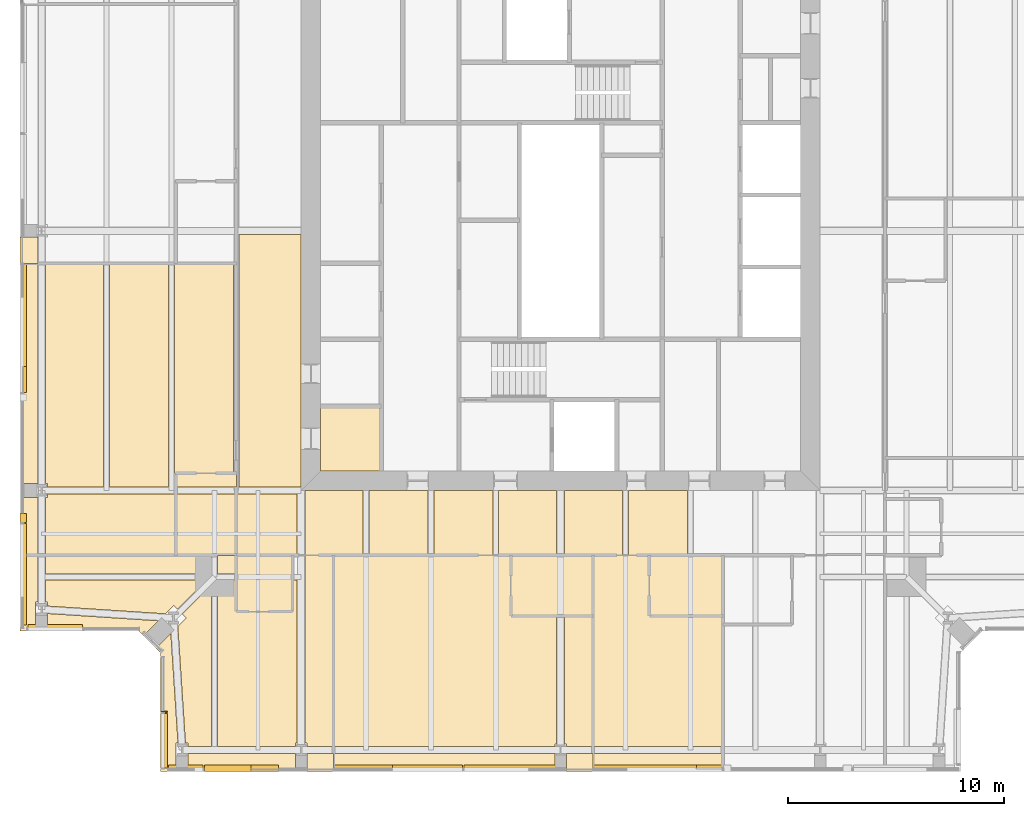
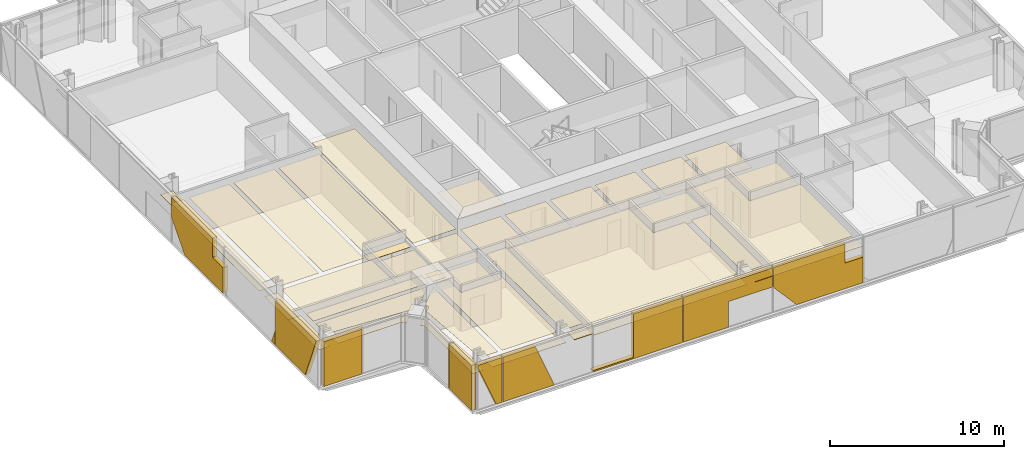
# One storey, part 15 of 20: 49 coverings.
"""IFC4 building model written with IfcOpenShell, lengths in metres."""

from ifc_helpers import new_model, si_unit, direction, frame, origin, place, context, subcontext, project, spatial, polyline, outline, extrude, material, layer, layer_set, type_object, element, save


model = new_model("IFC4")

# Units and contexts
model_context = context("Model", 3, precision=1e-05, world=origin(), true_north=direction((0.0, 1.0)))
body_context = subcontext(model_context, "Body", "Model", "MODEL_VIEW")
ifc_project = project(units=[si_unit("LENGTHUNIT", "METRE"), si_unit("AREAUNIT", "SQUARE_METRE"), si_unit("VOLUMEUNIT", "CUBIC_METRE"), si_unit("PLANEANGLEUNIT", "RADIAN"), si_unit("MASSUNIT", "GRAM", prefix="KILO")], contexts=[model_context])

# Site, building, storey
site_placement = place(None, origin())
site = spatial("IfcSite", under=ifc_project, at=site_placement, CompositionType="ELEMENT")
building_placement = place(site_placement, origin())
building = spatial("IfcBuilding", under=site, at=building_placement, Name="Fenwick Lantern Interchange", CompositionType="ELEMENT")
storey_placement = place(building_placement, frame((0.0, 0.0, 276.39990234375)))
storey = spatial("IfcBuildingStorey", under=building, at=storey_placement, Name="L66", CompositionType="ELEMENT", Elevation=276.39990234375)

# Coverings
ifc_material_1 = material(Name="Granite cladding, warm grey flamed finish, on aluminium carrier frame", Category="masonry")
ifc_layer_1 = layer(ifc_material_1, 0.300048828125)
ifc_layer_set_1 = layer_set([ifc_layer_1], Name="BRACE CASING PANEL 300")
covering_type_1 = type_object("IfcCoveringType", Name="BRACE CASING PANEL 300", PredefinedType="CLADDING", material=ifc_layer_set_1)
covering_1_placement = place(storey_placement, frame((6.60009765625, 0.10009765625, 0.0), z_axis=(0.0, 0.0, 1.0), x_axis=(1.0, 0.0, 0.0)))
element("IfcCovering", 1, at=covering_1_placement, inside=storey, type_object=covering_type_1, Name="Brace casing 01 bay 00a", PredefinedType="CLADDING", context=body_context, shape_type="SweptSolid", body=[
    extrude(outline(polyline([(1.46337890625, 0.0), (1.8701171875, 0.0), (1.8701171875, 3.150146484375), (0.260009765625, 3.150146484375), (0.260009765625, 2.9755859375), (1.46337890625, 0.0)])), frame((0.0, 0.2099609375, 0.0), z_axis=(0.0, -1.0, 0.0), x_axis=(1.0, 0.0, 0.0)), (0.0, 0.0, 1.0), 0.300048828125),
])
covering_2_placement = place(storey_placement, frame((6.60009765625, 0.10009765625, 0.0), z_axis=(0.0, 0.0, 1.0), x_axis=(1.0, 0.0, 0.0)))
element("IfcCovering", 2, at=covering_2_placement, inside=storey, type_object=covering_type_1, Name="Brace casing 01 bay 01a", PredefinedType="CLADDING", context=body_context, shape_type="SweptSolid", body=[
    extrude(outline(polyline([(1.929931640625, 0.0), (5.346435546875, 0.0), (4.07275390625, 3.150146484375), (1.929931640625, 3.150146484375), (1.929931640625, 0.0)])), frame((0.0, 0.2099609375, 0.0), z_axis=(0.0, -1.0, 0.0), x_axis=(1.0, 0.0, 0.0)), (0.0, 0.0, 1.0), 0.300048828125),
])
covering_3_placement = place(storey_placement, frame((6.60009765625, 0.10009765625, 0.0), z_axis=(0.0, 0.0, 1.0), x_axis=(1.0, 0.0, 0.0)))
element("IfcCovering", 3, at=covering_3_placement, inside=storey, type_object=covering_type_1, Name="Brace casing 01 bay 02a", PredefinedType="CLADDING", context=body_context, shape_type="SweptSolid", body=[
    extrude(outline(polyline([(7.929931640625, 0.0), (13.8701171875, 0.0), (13.8701171875, 3.150146484375), (10.6201171875, 3.150146484375), (10.6201171875, 0.097412109375), (7.929931640625, 0.097412109375), (7.929931640625, 0.0)])), frame((0.0, 0.2099609375, 0.0), z_axis=(0.0, -1.0, 0.0), x_axis=(1.0, 0.0, 0.0)), (0.0, 0.0, 1.0), 0.300048828125),
])
covering_4_placement = place(storey_placement, frame((6.60009765625, 0.10009765625, 0.0), z_axis=(0.0, 0.0, 1.0), x_axis=(1.0, 0.0, 0.0)))
element("IfcCovering", 4, at=covering_4_placement, inside=storey, type_object=covering_type_1, Name="Brace casing 01 bay 03a", PredefinedType="CLADDING", context=body_context, shape_type="SweptSolid", body=[
    extrude(outline(polyline([(13.929931640625, 0.0), (16.93017578125, 0.0), (16.93017578125, 1.8076171875), (19.8701171875, 1.8076171875), (19.8701171875, 3.150146484375), (13.929931640625, 3.150146484375), (13.929931640625, 0.0)])), frame((0.0, 0.2099609375, 0.0), z_axis=(0.0, -1.0, 0.0), x_axis=(1.0, 0.0, 0.0)), (0.0, 0.0, 1.0), 0.300048828125),
])
for number, where, z_axis, x_axis, name in (
    (5, (6.60009765625, 0.10009765625, 0.0), (0.0, 0.0, 1.0), (1.0, 0.0, 0.0), "Brace casing 01 bay 04a"),
    (6, (0.10009765625, 43.39990234375, 0.0), (0.0, 0.0, 1.0), (0.0, -1.0, 0.0), "Brace casing 13 bay 04a"),
):
    element("IfcCovering", number, at=place(storey_placement, frame(where, z_axis=z_axis, x_axis=x_axis)), inside=storey, type_object=covering_type_1, Name=name, PredefinedType="CLADDING", context=body_context, shape_type="SweptSolid", body=[
        extrude(outline(polyline([(21.46484375, 0.0), (25.8701171875, 0.0), (25.8701171875, 1.801513671875), (24.67626953125, 1.801513671875), (24.67626953125, 3.150146484375), (19.929931640625, 3.150146484375), (19.929931640625, 1.739501953125), (21.46484375, 0.0)])), frame((0.0, 0.2099609375, 0.0), z_axis=(0.0, -1.0, 0.0), x_axis=(1.0, 0.0, 0.0)), (0.0, 0.0, 1.0), 0.300048828125),
    ])
covering_5_placement = place(storey_placement, frame((0.10009765625, 43.39990234375, 0.0), z_axis=(0.0, 0.0, 1.0), x_axis=(0.0, -1.0, 0.0)))
element("IfcCovering", 7, at=covering_5_placement, inside=storey, type_object=covering_type_1, Name="Brace casing 13 bay 05b", PredefinedType="CLADDING", context=body_context, shape_type="SweptSolid", body=[
    extrude(outline(polyline([(31.453369140625, 0.0), (31.8701171875, 0.0), (31.8701171875, 1.030029296875), (31.453369140625, 0.0)])), frame((0.0, 0.2099609375, 0.0), z_axis=(0.0, -1.0, 0.0), x_axis=(1.0, 0.0, 0.0)), (0.0, 0.0, 1.0), 0.300048828125),
])
covering_6_placement = place(storey_placement, frame((0.10009765625, 43.39990234375, 0.0), z_axis=(0.0, 0.0, 1.0), x_axis=(0.0, -1.0, 0.0)))
element("IfcCovering", 8, at=covering_6_placement, inside=storey, type_object=covering_type_1, Name="Brace casing 13 bay 06a", PredefinedType="CLADDING", context=body_context, shape_type="SweptSolid", body=[
    extrude(outline(polyline([(31.929931640625, 0.0), (35.336669921875, 0.0), (36.610595703125, 3.150146484375), (31.929931640625, 3.150146484375), (31.929931640625, 0.0)])), frame((0.0, 0.2099609375, 0.0), z_axis=(0.0, -1.0, 0.0), x_axis=(1.0, 0.0, 0.0)), (0.0, 0.0, 1.0), 0.300048828125),
])
covering_7_placement = place(storey_placement, frame((0.10009765625, 6.60009765625, 0.0), z_axis=(0.0, 0.0, 1.0), x_axis=(1.0, 0.0, 0.0)))
element("IfcCovering", 9, at=covering_7_placement, inside=storey, type_object=covering_type_1, Name="Brace casing 14 bay 00a", PredefinedType="CLADDING", context=body_context, shape_type="SweptSolid", body=[
    extrude(outline(polyline([(0.260009765625, 0.0), (2.790771484375, 0.0), (2.790771484375, 3.150146484375), (0.260009765625, 3.150146484375), (0.260009765625, 0.0)])), frame((0.0, 0.2099609375, 0.0), z_axis=(0.0, -1.0, 0.0), x_axis=(1.0, 0.0, 0.0)), (0.0, 0.0, 1.0), 0.300048828125),
])
covering_8_placement = place(storey_placement, frame((6.60009765625, 5.54150390625, 0.0), z_axis=(0.0, 0.0, 1.0), x_axis=(0.0, -1.0, 0.0)))
element("IfcCovering", 10, at=covering_8_placement, inside=storey, type_object=covering_type_1, Name="Brace casing 16 bay 00a", PredefinedType="CLADDING", context=body_context, shape_type="SweptSolid", body=[
    extrude(outline(polyline([(2.741455078125, 0.0), (2.790771484375, 0.0), (2.790771484375, 3.150146484375), (2.741455078125, 3.150146484375), (2.741455078125, 0.0)])), frame((0.0, 0.2099609375, 0.0), z_axis=(0.0, -1.0, 0.0), x_axis=(1.0, 0.0, 0.0)), (0.0, 0.0, 1.0), 0.300048828125),
])
covering_9_placement = place(storey_placement, frame((6.60009765625, 5.54150390625, 0.0), z_axis=(0.0, 0.0, 1.0), x_axis=(0.0, -1.0, 0.0)))
element("IfcCovering", 11, at=covering_9_placement, inside=storey, type_object=covering_type_1, Name="Brace casing 16 bay 01a", PredefinedType="CLADDING", context=body_context, shape_type="SweptSolid", body=[
    extrude(outline(polyline([(2.850830078125, 0.0), (5.38134765625, 0.0), (5.38134765625, 3.150146484375), (2.850830078125, 3.150146484375), (2.850830078125, 0.0)])), frame((0.0, 0.2099609375, 0.0), z_axis=(0.0, -1.0, 0.0), x_axis=(1.0, 0.0, 0.0)), (0.0, 0.0, 1.0), 0.300048828125),
])
ifc_material_2 = material(Name="Moisture resistant gypsum board on suspended frame, painted")
ifc_layer_2 = layer(ifc_material_2, 0.014892578125)
ifc_layer_set_2 = layer_set([ifc_layer_2], Name="MOISTURE RESISTANT CEILING 15")
covering_type_2 = type_object("IfcCoveringType", Name="MOISTURE RESISTANT CEILING 15", PredefinedType="CEILING", material=ifc_layer_set_2)
covering_10_placement = place(storey_placement, frame((0.0, 0.0, 2.60009765625)))
element("IfcCovering", 12, at=covering_10_placement, inside=storey, type_object=covering_type_2, Name="Accessible WC ceiling", PredefinedType="CEILING", context=body_context, shape_type="SweptSolid", body=[
    extrude(outline(polyline([(13.89990234375, 13.89990234375), (16.699951171875, 13.89990234375), (16.699951171875, 16.89990234375), (13.89990234375, 16.89990234375), (13.89990234375, 13.89990234375)])), origin(), (0.0, 0.0, 1.0), 0.014892578125),
])
covering_11_placement = place(storey_placement, frame((0.0, 0.0, 2.400146484375)))
element("IfcCovering", 13, at=covering_11_placement, inside=storey, type_object=covering_type_2, Name="En-suite 6601 ceiling", PredefinedType="CEILING", context=body_context, shape_type="SweptSolid", body=[
    extrude(outline(polyline([(10.0, 7.39990234375), (12.60009765625, 7.39990234375), (12.60009765625, 10.0), (10.0, 10.0), (10.0, 7.39990234375)])), origin(), (0.0, 0.0, 1.0), 0.014892578125),
])
covering_12_placement = place(storey_placement, frame((0.0, 0.0, 2.400146484375)))
element("IfcCovering", 14, at=covering_12_placement, inside=storey, type_object=covering_type_2, Name="En-suite 6602 ceiling", PredefinedType="CEILING", context=body_context, shape_type="SweptSolid", body=[
    extrude(outline(polyline([(22.699951171875, 7.199951171875), (26.5, 7.199951171875), (26.5, 10.0), (22.699951171875, 10.0), (22.699951171875, 7.199951171875)])), origin(), (0.0, 0.0, 1.0), 0.014892578125),
])
covering_13_placement = place(storey_placement, frame((0.0, 0.0, 2.400146484375)))
element("IfcCovering", 15, at=covering_13_placement, inside=storey, type_object=covering_type_2, Name="En-suite 6603 ceiling", PredefinedType="CEILING", context=body_context, shape_type="SweptSolid", body=[
    extrude(outline(polyline([(29.10009765625, 7.199951171875), (32.5, 7.199951171875), (32.5, 10.0), (29.10009765625, 10.0), (29.10009765625, 7.199951171875)])), origin(), (0.0, 0.0, 1.0), 0.014892578125),
])
covering_14_placement = place(storey_placement, frame((0.0, 0.0, 2.400146484375)))
element("IfcCovering", 16, at=covering_14_placement, inside=storey, type_object=covering_type_2, Name="En-suite 6613 ceiling", PredefinedType="CEILING", context=body_context, shape_type="SweptSolid", body=[
    extrude(outline(polyline([(10.0, 10.0), (10.0, 12.833984375), (7.199951171875, 12.833984375), (7.199951171875, 10.0), (10.0, 10.0)])), origin(), (0.0, 0.0, 1.0), 0.014892578125),
])
covering_15_placement = place(storey_placement, frame((0.0, 0.0, 2.400146484375)))
element("IfcCovering", 17, at=covering_15_placement, inside=storey, type_object=covering_type_2, Name="En-suite 6613 ceiling", PredefinedType="CEILING", context=body_context, shape_type="SweptSolid", body=[
    extrude(outline(polyline([(7.199951171875, 13.800048828125), (7.199951171875, 13.166015625), (10.0, 13.166015625), (10.0, 13.800048828125), (7.199951171875, 13.800048828125)])), origin(), (0.0, 0.0, 1.0), 0.014892578125),
])
ifc_material_3 = material(Name="Gypsum plasterboard on suspended frame, painted")
ifc_layer_3 = layer(ifc_material_3, 0.014892578125)
ifc_layer_set_3 = layer_set([ifc_layer_3], Name="PLASTERBOARD CEILING 15")
covering_type_3 = type_object("IfcCoveringType", Name="PLASTERBOARD CEILING 15", PredefinedType="CEILING", material=ifc_layer_set_3)
covering_16_placement = place(storey_placement, frame((0.0, 0.0, 2.60009765625)))
element("IfcCovering", 18, at=covering_16_placement, inside=storey, type_object=covering_type_3, Name="Corridor ceiling", PredefinedType="CEILING", context=body_context, shape_type="SweptSolid", body=[
    extrude(outline(polyline([(13.0, 13.166015625), (13.0, 24.824951171875), (10.134521484375, 24.824951171875), (10.134521484375, 13.166015625), (13.0, 13.166015625)])), origin(), (0.0, 0.0, 1.0), 0.014892578125),
])
covering_17_placement = place(storey_placement, frame((0.0, 0.0, 2.60009765625)))
element("IfcCovering", 19, at=covering_17_placement, inside=storey, type_object=covering_type_3, Name="Corridor ceiling", PredefinedType="CEILING", context=body_context, shape_type="SweptSolid", body=[
    extrude(outline(polyline([(16.134521484375, 10.0), (18.865478515625, 10.0), (18.865478515625, 13.0), (16.134521484375, 13.0), (16.134521484375, 10.0)])), origin(), (0.0, 0.0, 1.0), 0.014892578125),
])
covering_18_placement = place(storey_placement, frame((0.0, 0.0, 2.60009765625)))
element("IfcCovering", 20, at=covering_18_placement, inside=storey, type_object=covering_type_3, Name="Corridor ceiling", PredefinedType="CEILING", context=body_context, shape_type="SweptSolid", body=[
    extrude(outline(polyline([(19.134521484375, 10.0), (21.865478515625, 10.0), (21.865478515625, 13.0), (19.134521484375, 13.0), (19.134521484375, 10.0)])), origin(), (0.0, 0.0, 1.0), 0.014892578125),
])
covering_19_placement = place(storey_placement, frame((0.0, 0.0, 2.60009765625)))
element("IfcCovering", 21, at=covering_19_placement, inside=storey, type_object=covering_type_3, Name="Corridor ceiling", PredefinedType="CEILING", context=body_context, shape_type="SweptSolid", body=[
    extrude(outline(polyline([(28.134521484375, 10.0), (30.865478515625, 10.0), (30.865478515625, 13.0), (28.134521484375, 13.0), (28.134521484375, 10.0)])), origin(), (0.0, 0.0, 1.0), 0.014892578125),
])
covering_20_placement = place(storey_placement, frame((0.0, 0.0, 2.60009765625)))
element("IfcCovering", 22, at=covering_20_placement, inside=storey, type_object=covering_type_3, Name="Corridor ceiling", PredefinedType="CEILING", context=body_context, shape_type="SweptSolid", body=[
    extrude(outline(polyline([(13.183837890625, 10.0), (15.865478515625, 10.0), (15.865478515625, 13.0), (13.183837890625, 13.0), (13.183837890625, 10.0)])), origin(), (0.0, 0.0, 1.0), 0.014892578125),
])
covering_21_placement = place(storey_placement, frame((0.0, 0.0, 2.60009765625)))
element("IfcCovering", 23, at=covering_21_placement, inside=storey, type_object=covering_type_3, Name="Corridor ceiling", PredefinedType="CEILING", context=body_context, shape_type="SweptSolid", body=[
    extrude(outline(polyline([(22.134521484375, 10.0), (24.816162109375, 10.0), (24.816162109375, 13.0), (22.134521484375, 13.0), (22.134521484375, 10.0)])), origin(), (0.0, 0.0, 1.0), 0.014892578125),
])
covering_22_placement = place(storey_placement, frame((0.0, 0.0, 2.60009765625)))
element("IfcCovering", 24, at=covering_22_placement, inside=storey, type_object=covering_type_3, Name="Corridor ceiling", PredefinedType="CEILING", context=body_context, shape_type="SweptSolid", body=[
    extrude(outline(polyline([(25.183837890625, 10.0), (27.865478515625, 10.0), (27.865478515625, 13.0), (25.183837890625, 13.0), (25.183837890625, 10.0)])), origin(), (0.0, 0.0, 1.0), 0.014892578125),
])
covering_23_placement = place(storey_placement, frame((0.0, 0.0, 2.60009765625)))
element("IfcCovering", 25, at=covering_23_placement, inside=storey, type_object=covering_type_3, Name="Corridor ceiling", PredefinedType="CEILING", context=body_context, shape_type="SweptSolid", body=[
    extrude(outline(polyline([(10.0, 10.0), (12.816162109375, 10.0), (12.816162109375, 12.833984375), (10.0, 12.833984375), (10.0, 10.0)])), origin(), (0.0, 0.0, 1.0), 0.014892578125),
])
covering_24_placement = place(storey_placement, frame((0.0, 0.0, 2.7001953125)))
element("IfcCovering", 26, at=covering_24_placement, inside=storey, type_object=covering_type_3, Name="Guest suite 6601 ceiling", PredefinedType="CEILING", context=body_context, shape_type="SweptSolid", body=[
    extrude(outline(polyline([(10.0, 7.39990234375), (10.0, 8.865478515625), (9.134521484375, 8.865478515625), (9.134521484375, 1.17236328125), (12.72900390625, 1.17236328125), (12.72900390625, 1.3154296875), (12.816162109375, 1.3154296875), (12.816162109375, 8.865478515625), (12.60009765625, 8.865478515625), (12.60009765625, 7.39990234375), (10.0, 7.39990234375)])), origin(), (0.0, 0.0, 1.0), 0.014892578125),
])
covering_25_placement = place(storey_placement, frame((0.0, 0.0, 2.7001953125)))
element("IfcCovering", 27, at=covering_25_placement, inside=storey, type_object=covering_type_3, Name="Guest suite 6601 ceiling", PredefinedType="CEILING", context=body_context, shape_type="SweptSolid", body=[
    extrude(outline(polyline([(14.5, 10.0), (13.183837890625, 10.0), (13.183837890625, 1.3154296875), (13.27099609375, 1.3154296875), (13.27099609375, 1.17236328125), (14.5, 1.17236328125), (14.5, 10.0)])), origin(), (0.0, 0.0, 1.0), 0.014892578125),
])
covering_26_placement = place(storey_placement, frame((0.0, 0.0, 2.7001953125)))
element("IfcCovering", 28, at=covering_26_placement, inside=storey, type_object=covering_type_3, Name="Guest suite 6601 ceiling", PredefinedType="CEILING", context=body_context, shape_type="SweptSolid", body=[
    extrude(outline(polyline([(7.10009765625, 7.6826171875), (7.28271484375, 7.499755859375), (8.648681640625, 8.865478515625), (1.17236328125, 8.865478515625), (1.17236328125, 7.83447265625), (1.27734375, 7.83447265625), (1.27734375, 7.654541015625), (6.715576171875, 7.298095703125), (7.10009765625, 7.6826171875)])), origin(), (0.0, 0.0, 1.0), 0.014892578125),
])
covering_27_placement = place(storey_placement, frame((0.0, 0.0, 2.7001953125)))
element("IfcCovering", 29, at=covering_27_placement, inside=storey, type_object=covering_type_3, Name="Guest suite 6601 ceiling", PredefinedType="CEILING", context=body_context, shape_type="SweptSolid", body=[
    extrude(outline(polyline([(7.77734375, 1.33447265625), (7.77734375, 1.17236328125), (8.865478515625, 1.17236328125), (8.865478515625, 8.648681640625), (7.499755859375, 7.28271484375), (7.6826171875, 7.10009765625), (7.298095703125, 6.715576171875), (7.65087890625, 1.33447265625), (7.77734375, 1.33447265625)])), origin(), (0.0, 0.0, 1.0), 0.014892578125),
])
covering_28_placement = place(storey_placement, frame((0.0, 0.0, 2.7001953125)))
element("IfcCovering", 30, at=covering_28_placement, inside=storey, type_object=covering_type_3, Name="Guest suite 6601 ceiling", PredefinedType="CEILING", context=body_context, shape_type="SweptSolid", body=[
    extrude(outline(polyline([(8.865478515625, 10.0), (1.17236328125, 10.0), (1.17236328125, 9.134521484375), (8.865478515625, 9.134521484375), (8.865478515625, 10.0)])), origin(), (0.0, 0.0, 1.0), 0.014892578125),
])
covering_29_placement = place(storey_placement, frame((0.0, 0.0, 2.7001953125)))
element("IfcCovering", 31, at=covering_29_placement, inside=storey, type_object=covering_type_3, Name="Guest suite 6601 ceiling", PredefinedType="CEILING", context=body_context, shape_type="SweptSolid", body=[
    extrude(outline(polyline([(7.22265625, 1.33447265625), (7.30517578125, 1.33447265625), (6.9736328125, 6.39111328125), (6.291259765625, 5.708740234375), (6.5, 5.5), (6.5, 0.0), (7.22265625, 0.0), (7.22265625, 1.33447265625)])), origin(), (0.0, 0.0, 1.0), 0.014892578125),
])
covering_30_placement = place(storey_placement, frame((0.0, 0.0, 2.7001953125)))
element("IfcCovering", 32, at=covering_30_placement, inside=storey, type_object=covering_type_3, Name="Guest suite 6601 ceiling", PredefinedType="CEILING", context=body_context, shape_type="SweptSolid", body=[
    extrude(outline(polyline([(12.72900390625, 0.0), (12.72900390625, 0.82763671875), (7.77734375, 0.82763671875), (7.77734375, 0.0), (12.72900390625, 0.0)])), origin(), (0.0, 0.0, 1.0), 0.014892578125),
])
covering_31_placement = place(storey_placement, frame((0.0, 0.0, 2.7001953125)))
element("IfcCovering", 33, at=covering_31_placement, inside=storey, type_object=covering_type_3, Name="Guest suite 6601 ceiling", PredefinedType="CEILING", context=body_context, shape_type="SweptSolid", body=[
    extrude(outline(polyline([(5.708740234375, 6.291259765625), (6.39111328125, 6.9736328125), (1.27734375, 7.30908203125), (1.27734375, 6.5), (5.5, 6.5), (5.708740234375, 6.291259765625)])), origin(), (0.0, 0.0, 1.0), 0.014892578125),
])
covering_32_placement = place(storey_placement, frame((0.0, 0.0, 2.7001953125)))
element("IfcCovering", 34, at=covering_32_placement, inside=storey, type_object=covering_type_3, Name="Guest suite 6601 ceiling", PredefinedType="CEILING", context=body_context, shape_type="SweptSolid", body=[
    extrude(outline(polyline([(0.72265625, 7.83447265625), (0.82763671875, 7.83447265625), (0.82763671875, 10.0), (0.0, 10.0), (0.0, 6.5), (0.72265625, 6.5), (0.72265625, 7.83447265625)])), origin(), (0.0, 0.0, 1.0), 0.014892578125),
])
covering_33_placement = place(storey_placement, frame((0.0, 0.0, 2.7001953125)))
element("IfcCovering", 35, at=covering_33_placement, inside=storey, type_object=covering_type_3, Name="Guest suite 6601 ceiling", PredefinedType="CEILING", context=body_context, shape_type="SweptSolid", body=[
    extrude(outline(polyline([(14.5, 0.0), (14.5, 0.82763671875), (13.27099609375, 0.82763671875), (13.27099609375, 0.0), (14.5, 0.0)])), origin(), (0.0, 0.0, 1.0), 0.014892578125),
])
covering_34_placement = place(storey_placement, frame((0.0, 0.0, 2.7001953125)))
element("IfcCovering", 36, at=covering_34_placement, inside=storey, type_object=covering_type_3, Name="Guest suite 6601 ceiling", PredefinedType="CEILING", context=body_context, shape_type="SweptSolid", body=[
    extrude(outline(polyline([(10.0, 9.134521484375), (10.0, 10.0), (9.134521484375, 10.0), (9.134521484375, 9.134521484375), (10.0, 9.134521484375)])), origin(), (0.0, 0.0, 1.0), 0.014892578125),
])
covering_35_placement = place(storey_placement, frame((0.0, 0.0, 2.572998046875)))
element("IfcCovering", 37, at=covering_35_placement, inside=storey, type_object=covering_type_3, Name="Guest suite 6602 ceiling", PredefinedType="CEILING", context=body_context, shape_type="SweptSolid", body=[
    extrude(outline(polyline([(24.73779296875, 1.28759765625), (24.816162109375, 1.28759765625), (24.816162109375, 7.199951171875), (22.699951171875, 7.199951171875), (22.699951171875, 10.0), (14.5, 10.0), (14.5, 1.17236328125), (24.73779296875, 1.17236328125), (24.73779296875, 1.28759765625)])), origin(), (0.0, 0.0, 1.0), 0.014892578125),
])
covering_36_placement = place(storey_placement, frame((0.0, 0.0, 2.572998046875)))
element("IfcCovering", 38, at=covering_36_placement, inside=storey, type_object=covering_type_3, Name="Guest suite 6602 ceiling", PredefinedType="CEILING", context=body_context, shape_type="SweptSolid", body=[
    extrude(outline(polyline([(24.73779296875, 0.0), (24.73779296875, 0.82763671875), (14.5, 0.82763671875), (14.5, 0.0), (24.73779296875, 0.0)])), origin(), (0.0, 0.0, 1.0), 0.014892578125),
])
covering_37_placement = place(storey_placement, frame((0.0, 0.0, 2.572998046875)))
element("IfcCovering", 39, at=covering_37_placement, inside=storey, type_object=covering_type_3, Name="Guest suite 6602 ceiling", PredefinedType="CEILING", context=body_context, shape_type="SweptSolid", body=[
    extrude(outline(polyline([(25.26220703125, 1.28759765625), (25.26220703125, 1.17236328125), (26.5, 1.17236328125), (26.5, 7.199951171875), (25.183837890625, 7.199951171875), (25.183837890625, 1.28759765625), (25.26220703125, 1.28759765625)])), origin(), (0.0, 0.0, 1.0), 0.014892578125),
])
covering_38_placement = place(storey_placement, frame((0.0, 0.0, 2.572998046875)))
element("IfcCovering", 40, at=covering_38_placement, inside=storey, type_object=covering_type_3, Name="Guest suite 6602 ceiling", PredefinedType="CEILING", context=body_context, shape_type="SweptSolid", body=[
    extrude(outline(polyline([(25.26220703125, 0.82763671875), (25.26220703125, 0.0), (26.5, 0.0), (26.5, 0.82763671875), (25.26220703125, 0.82763671875)])), origin(), (0.0, 0.0, 1.0), 0.014892578125),
])
covering_39_placement = place(storey_placement, frame((0.0, 0.0, 2.572998046875)))
element("IfcCovering", 41, at=covering_39_placement, inside=storey, type_object=covering_type_3, Name="Guest room 6603 ceiling", PredefinedType="CEILING", context=body_context, shape_type="SweptSolid", body=[
    extrude(outline(polyline([(26.5, 10.0), (26.5, 1.17236328125), (32.5, 1.17236328125), (32.5, 7.199951171875), (29.10009765625, 7.199951171875), (29.10009765625, 10.0), (26.5, 10.0)])), origin(), (0.0, 0.0, 1.0), 0.014892578125),
])
covering_40_placement = place(storey_placement, frame((0.0, 0.0, 2.572998046875)))
element("IfcCovering", 42, at=covering_40_placement, inside=storey, type_object=covering_type_3, Name="Guest room 6603 ceiling", PredefinedType="CEILING", context=body_context, shape_type="SweptSolid", body=[
    extrude(outline(polyline([(26.5, 0.0), (32.5, 0.0), (32.5, 0.82763671875), (26.5, 0.82763671875), (26.5, 0.0)])), origin(), (0.0, 0.0, 1.0), 0.014892578125),
])
covering_41_placement = place(storey_placement, frame((0.0, 0.0, 2.572998046875)))
element("IfcCovering", 43, at=covering_41_placement, inside=storey, type_object=covering_type_3, Name="Guest suite 6612 ceiling", PredefinedType="CEILING", context=body_context, shape_type="SweptSolid", body=[
    extrude(outline(polyline([(0.82763671875, 24.71240234375), (0.0, 24.71240234375), (0.0, 23.5), (0.82763671875, 23.5), (0.82763671875, 24.71240234375)])), origin(), (0.0, 0.0, 1.0), 0.014892578125),
])
covering_42_placement = place(storey_placement, frame((0.0, 0.0, 2.7001953125)))
element("IfcCovering", 44, at=covering_42_placement, inside=storey, type_object=covering_type_3, Name="Guest suite 6613 ceiling", PredefinedType="CEILING", context=body_context, shape_type="SweptSolid", body=[
    extrude(outline(polyline([(6.865478515625, 23.5), (4.134521484375, 23.5), (4.134521484375, 13.166015625), (6.865478515625, 13.166015625), (6.865478515625, 23.5)])), origin(), (0.0, 0.0, 1.0), 0.014892578125),
])
covering_43_placement = place(storey_placement, frame((0.0, 0.0, 2.7001953125)))
element("IfcCovering", 45, at=covering_43_placement, inside=storey, type_object=covering_type_3, Name="Guest suite 6613 ceiling", PredefinedType="CEILING", context=body_context, shape_type="SweptSolid", body=[
    extrude(outline(polyline([(1.27099609375, 13.3154296875), (1.27099609375, 13.166015625), (3.865478515625, 13.166015625), (3.865478515625, 23.5), (1.17236328125, 23.5), (1.17236328125, 13.3154296875), (1.27099609375, 13.3154296875)])), origin(), (0.0, 0.0, 1.0), 0.014892578125),
])
covering_44_placement = place(storey_placement, frame((0.0, 0.0, 2.7001953125)))
element("IfcCovering", 46, at=covering_44_placement, inside=storey, type_object=covering_type_3, Name="Guest suite 6613 ceiling", PredefinedType="CEILING", context=body_context, shape_type="SweptSolid", body=[
    extrude(outline(polyline([(9.865478515625, 23.5), (7.134521484375, 23.5), (7.134521484375, 13.166015625), (7.199951171875, 13.166015625), (7.199951171875, 13.800048828125), (9.865478515625, 13.800048828125), (9.865478515625, 23.5)])), origin(), (0.0, 0.0, 1.0), 0.014892578125),
])
covering_45_placement = place(storey_placement, frame((0.0, 0.0, 2.7001953125)))
element("IfcCovering", 47, at=covering_45_placement, inside=storey, type_object=covering_type_3, Name="Guest suite 6613 ceiling", PredefinedType="CEILING", context=body_context, shape_type="SweptSolid", body=[
    extrude(outline(polyline([(1.27099609375, 12.6845703125), (1.17236328125, 12.6845703125), (1.17236328125, 10.0), (7.199951171875, 10.0), (7.199951171875, 12.833984375), (1.27099609375, 12.833984375), (1.27099609375, 12.6845703125)])), origin(), (0.0, 0.0, 1.0), 0.014892578125),
])
covering_46_placement = place(storey_placement, frame((0.0, 0.0, 2.7001953125)))
element("IfcCovering", 48, at=covering_46_placement, inside=storey, type_object=covering_type_3, Name="Guest suite 6613 ceiling", PredefinedType="CEILING", context=body_context, shape_type="SweptSolid", body=[
    extrude(outline(polyline([(0.0, 13.3154296875), (0.82763671875, 13.3154296875), (0.82763671875, 23.5), (0.0, 23.5), (0.0, 13.3154296875)])), origin(), (0.0, 0.0, 1.0), 0.014892578125),
])
covering_47_placement = place(storey_placement, frame((0.0, 0.0, 2.7001953125)))
element("IfcCovering", 49, at=covering_47_placement, inside=storey, type_object=covering_type_3, Name="Guest suite 6613 ceiling", PredefinedType="CEILING", context=body_context, shape_type="SweptSolid", body=[
    extrude(outline(polyline([(0.82763671875, 12.6845703125), (0.0, 12.6845703125), (0.0, 10.0), (0.82763671875, 10.0), (0.82763671875, 12.6845703125)])), origin(), (0.0, 0.0, 1.0), 0.014892578125),
])

save(model, "model.ifc")
